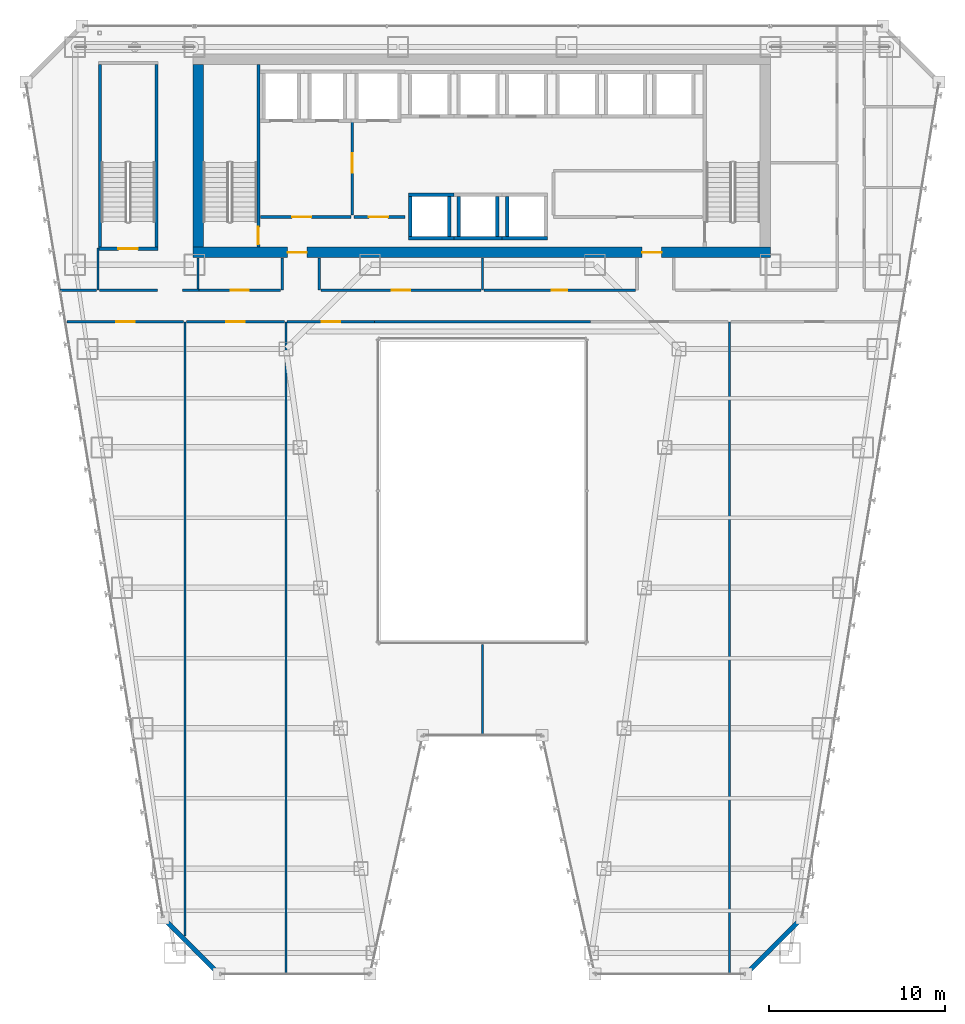
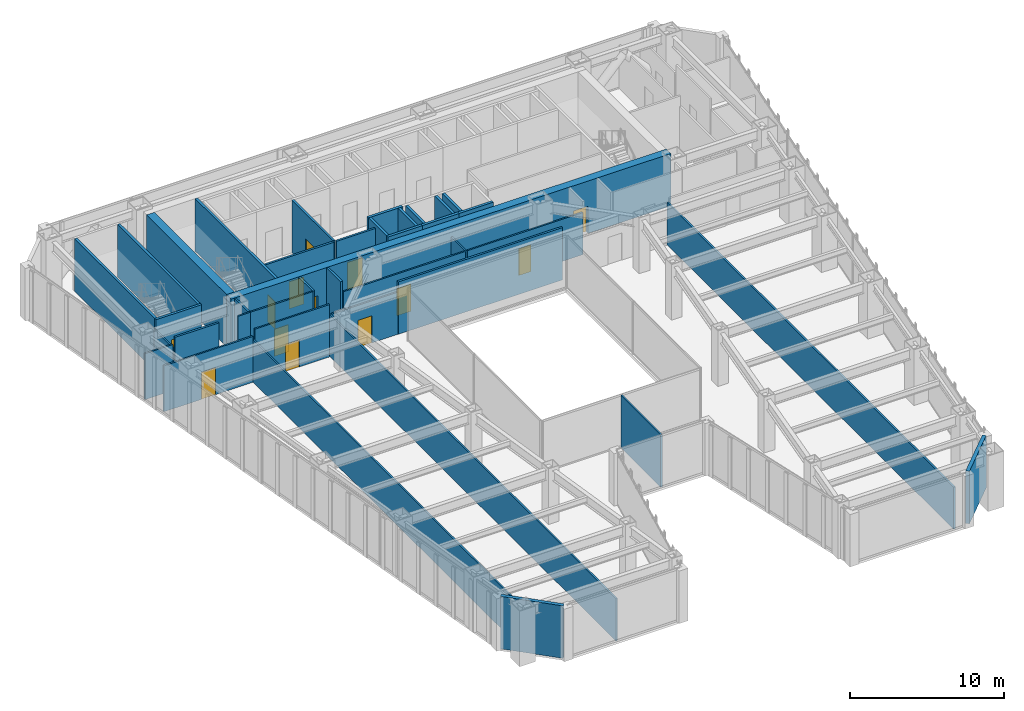
# One storey, part 36 of 47: 39 walls, 13 doors, 13 openings.
"""IFC4 building model written with IfcOpenShell, lengths in metres."""

from ifc_helpers import new_model, si_unit, direction, frame, frame_2d, origin, place, context, subcontext, project, spatial, rectangle, extrude, material, layer, layer_set, type_object, element, fill, save


model = new_model("IFC4")

# Units and contexts
model_context = context("Model", 3, precision=1e-05, world=origin(), true_north=direction((0.0, 1.0)))
body_context = subcontext(model_context, "Body", "Model", "MODEL_VIEW")
ifc_project = project(units=[si_unit("LENGTHUNIT", "METRE"), si_unit("AREAUNIT", "SQUARE_METRE"), si_unit("VOLUMEUNIT", "CUBIC_METRE"), si_unit("PLANEANGLEUNIT", "RADIAN"), si_unit("MASSUNIT", "GRAM", prefix="KILO")], contexts=[model_context])

# Site, building, storey
site_placement = place(None, origin())
site = spatial("IfcSite", under=ifc_project, at=site_placement, CompositionType="ELEMENT")
building_placement = place(site_placement, origin())
building = spatial("IfcBuilding", under=site, at=building_placement, Name="Saevonmaru Cultural Tower", CompositionType="ELEMENT")
storey_placement = place(building_placement, frame((0.0, 0.0, 47.199951171875)))
storey = spatial("IfcBuildingStorey", under=building, at=storey_placement, Name="L09", CompositionType="ELEMENT", Elevation=47.199951171875)

# Wall, openings, doors
ifc_material_1 = material(Name="Concrete C60/75", Category="concrete")
ifc_layer_1 = layer(ifc_material_1, 0.60009765625, Name="Concrete C60/75")
ifc_layer_set_1 = layer_set([ifc_layer_1], Name="Concrete C60/75")
wall_type_1 = type_object("IfcWallType", Name="WL-CORE-600", PredefinedType="SHEAR", material=ifc_layer_set_1)
wall_1_placement = place(storey_placement, frame((13.5, 43.10009765625, 0.0), z_axis=(0.0, 0.0, 1.0), x_axis=(1.0, 0.0, 0.0)))
wall_1 = element("IfcWall", 1, at=wall_1_placement, inside=storey, type_object=wall_type_1, Name="L09 Tower RC core shear wall S", PredefinedType="SHEAR", context=body_context, shape_type="SweptSolid", body=[
    extrude(rectangle(XDim=32.89990234375, YDim=0.60009765625, at=frame_2d((16.449951171875, 0.0))), origin(), (0.0, 0.0, 1.0), 4.150146484375),
])
opening_1_placement = place(wall_1_placement, frame((5.39990234375, 0.0, 0.0)))
opening_1 = element("IfcOpeningElement", 2, at=opening_1_placement, cuts=wall_1, Name="Opening FD-2", PredefinedType="OPENING", context=body_context, shape_type="SweptSolid", body=[
    extrude(rectangle(XDim=1.10009765625, YDim=2.14990234375, at=frame_2d((0.550048828125, 1.074951171875))), frame((0.0, 0.31005859375, 0.0), z_axis=(0.0, -1.0, 0.0), x_axis=(1.0, 0.0, 0.0)), (0.0, 0.0, 1.0), 0.6201171875),
])
opening_2_placement = place(wall_1_placement, frame((25.60009765625, 0.0, 0.0)))
opening_2 = element("IfcOpeningElement", 3, at=opening_2_placement, cuts=wall_1, Name="Opening FD-2", PredefinedType="OPENING", context=body_context, shape_type="SweptSolid", body=[
    extrude(rectangle(XDim=1.10009765625, YDim=2.14990234375, at=frame_2d((0.550048828125, 1.074951171875))), frame((0.0, 0.31005859375, 0.0), z_axis=(0.0, -1.0, 0.0), x_axis=(1.0, 0.0, 0.0)), (0.0, 0.0, 1.0), 0.6201171875),
])
ifc_material_2 = material(Name="Satin Bronze Anodised Aluminium", Category="aluminium")
door_type_1 = type_object("IfcDoorType", Name="DR-FD60-1100", OperationType="SINGLE_SWING_LEFT", PredefinedType="DOOR", material=ifc_material_2)
door_1_placement = place(opening_1_placement, origin())
door_1 = element("IfcDoor", 4, at=door_1_placement, inside=storey, type_object=door_type_1, Name="L09 Core West Lobby Fire Door", OperationType="SINGLE_SWING_LEFT", OverallHeight=2.14990234375, OverallWidth=1.10009765625, PredefinedType="DOOR", context=body_context, shape_type="SweptSolid", body=[
    extrude(rectangle(XDim=1.10009765625, YDim=2.14990234375, at=frame_2d((0.550048828125, 1.074951171875))), frame((0.0, 0.02490234375, 0.0), z_axis=(0.0, -1.0, 0.0), x_axis=(1.0, 0.0, 0.0)), (0.0, 0.0, 1.0), 0.050048828125),
])
fill(opening_1, door_1)
door_2_placement = place(opening_2_placement, origin())
door_2 = element("IfcDoor", 5, at=door_2_placement, inside=storey, type_object=door_type_1, Name="L09 Core East Lobby Fire Door", OperationType="SINGLE_SWING_LEFT", OverallHeight=2.14990234375, OverallWidth=1.10009765625, PredefinedType="DOOR", context=body_context, shape_type="SweptSolid", body=[
    extrude(rectangle(XDim=1.10009765625, YDim=2.14990234375, at=frame_2d((0.550048828125, 1.074951171875))), frame((0.0, 0.02490234375, 0.0), z_axis=(0.0, -1.0, 0.0), x_axis=(1.0, 0.0, 0.0)), (0.0, 0.0, 1.0), 0.050048828125),
])
fill(opening_2, door_2)

# Wall
wall_2_placement = place(storey_placement, frame((13.800048828125, 43.39990234375, 0.0), z_axis=(0.0, 0.0, 1.0), x_axis=(0.0, 1.0, 0.0)))
element("IfcWall", 6, at=wall_2_placement, inside=storey, type_object=wall_type_1, Name="L09 Tower RC core shear wall W", PredefinedType="SHEAR", context=body_context, shape_type="SweptSolid", body=[
    extrude(rectangle(XDim=10.400146484375, YDim=0.60009765625, at=frame_2d((5.2001953125, 0.0))), origin(), (0.0, 0.0, 1.0), 4.150146484375),
])

# Wall, opening, door
ifc_material_3 = material(Name="Gypsum Fireboard Partition", Category="gypsum")
ifc_layer_2 = layer(ifc_material_3, 0.14990234375, Name="Gypsum Fireboard Partition")
ifc_layer_set_2 = layer_set([ifc_layer_2], Name="Gypsum Fireboard Partition")
wall_type_2 = type_object("IfcWallType", Name="WL-CORE-PART-150", PredefinedType="PARTITIONING", material=ifc_layer_set_2)
wall_3_placement = place(storey_placement, frame((17.360107421875, 45.1201171875, 0.0), z_axis=(0.0, 0.0, 1.0), x_axis=(1.0, 0.0, 0.0)))
wall_3 = element("IfcWall", 7, at=wall_3_placement, inside=storey, type_object=wall_type_2, Name="L09 Firefighting Lift Lobby South Wall", PredefinedType="PARTITIONING", context=body_context, shape_type="SweptSolid", body=[
    extrude(rectangle(XDim=5.139892578125, YDim=0.14990234375, at=frame_2d((2.56982421875, 0.0))), origin(), (0.0, 0.0, 1.0), 4.150146484375),
])
opening_3_placement = place(wall_3_placement, frame((1.800048828125, 0.0, 0.0)))
opening_3 = element("IfcOpeningElement", 8, at=opening_3_placement, cuts=wall_3, Name="Opening FD-2", PredefinedType="OPENING", context=body_context, shape_type="SweptSolid", body=[
    extrude(rectangle(XDim=1.10009765625, YDim=2.14990234375, at=frame_2d((0.550048828125, 1.074951171875))), frame((0.0, 0.0849609375, 0.0), z_axis=(0.0, -1.0, 0.0), x_axis=(1.0, 0.0, 0.0)), (0.0, 0.0, 1.0), 0.169921875),
])
door_3_placement = place(opening_3_placement, origin())
door_3 = element("IfcDoor", 9, at=door_3_placement, inside=storey, type_object=door_type_1, Name="L09 Firefighting Lift Lobby South Door", OperationType="SINGLE_SWING_LEFT", OverallHeight=2.14990234375, OverallWidth=1.10009765625, PredefinedType="DOOR", context=body_context, shape_type="SweptSolid", body=[
    extrude(rectangle(XDim=1.10009765625, YDim=2.14990234375, at=frame_2d((0.550048828125, 1.074951171875))), frame((0.0, 0.02490234375, 0.0), z_axis=(0.0, -1.0, 0.0), x_axis=(1.0, 0.0, 0.0)), (0.0, 0.0, 1.0), 0.050048828125),
])
fill(opening_3, door_3)

wall_4_placement = place(storey_placement, frame((22.580078125, 50.550048828125, 0.0), z_axis=(0.0, 0.0, 1.0), x_axis=(0.0, -1.0, 0.0)))
wall_4 = element("IfcWall", 10, at=wall_4_placement, inside=storey, type_object=wall_type_2, Name="L09 Firefighting Lift Lobby East Wall", PredefinedType="PARTITIONING", context=body_context, shape_type="SweptSolid", body=[
    extrude(rectangle(XDim=5.330078125, YDim=0.14990234375, at=frame_2d((2.6650390625, 0.0))), origin(), (0.0, 0.0, 1.0), 4.150146484375),
])
opening_4_placement = place(wall_4_placement, frame((1.800048828125, 0.0, 0.0)))
opening_4 = element("IfcOpeningElement", 11, at=opening_4_placement, cuts=wall_4, Name="Opening FD-2", PredefinedType="OPENING", context=body_context, shape_type="SweptSolid", body=[
    extrude(rectangle(XDim=1.10009765625, YDim=2.14990234375, at=frame_2d((0.550048828125, 1.074951171875))), frame((0.0, 0.0849609375, 0.0), z_axis=(0.0, -1.0, 0.0), x_axis=(1.0, 0.0, 0.0)), (0.0, 0.0, 1.0), 0.169921875),
])
door_4_placement = place(opening_4_placement, origin())
door_4 = element("IfcDoor", 12, at=door_4_placement, inside=storey, type_object=door_type_1, Name="L09 Firefighting Lift Lobby East Door", OperationType="SINGLE_SWING_LEFT", OverallHeight=2.14990234375, OverallWidth=1.10009765625, PredefinedType="DOOR", context=body_context, shape_type="SweptSolid", body=[
    extrude(rectangle(XDim=1.10009765625, YDim=2.14990234375, at=frame_2d((0.550048828125, 1.074951171875))), frame((0.0, 0.02490234375, 0.0), z_axis=(0.0, -1.0, 0.0), x_axis=(1.0, 0.0, 0.0)), (0.0, 0.0, 1.0), 0.050048828125),
])
fill(opening_4, door_4)

wall_5_placement = place(storey_placement, frame((22.679931640625, 45.1201171875, 0.0), z_axis=(0.0, 0.0, 1.0), x_axis=(1.0, 0.0, 0.0)))
wall_5 = element("IfcWall", 13, at=wall_5_placement, inside=storey, type_object=wall_type_2, Name="L09 Service Lift Vestibule Wall", PredefinedType="PARTITIONING", context=body_context, shape_type="SweptSolid", body=[
    extrude(rectangle(XDim=2.920166015625, YDim=0.14990234375, at=frame_2d((1.4599609375, 0.0))), origin(), (0.0, 0.0, 1.0), 4.150146484375),
])
opening_5_placement = place(wall_5_placement, frame((0.85009765625, 0.0, 0.0)))
opening_5 = element("IfcOpeningElement", 14, at=opening_5_placement, cuts=wall_5, Name="Opening FD-2", PredefinedType="OPENING", context=body_context, shape_type="SweptSolid", body=[
    extrude(rectangle(XDim=1.10009765625, YDim=2.14990234375, at=frame_2d((0.550048828125, 1.074951171875))), frame((0.0, 0.0849609375, 0.0), z_axis=(0.0, -1.0, 0.0), x_axis=(1.0, 0.0, 0.0)), (0.0, 0.0, 1.0), 0.169921875),
])
door_5_placement = place(opening_5_placement, origin())
door_5 = element("IfcDoor", 15, at=door_5_placement, inside=storey, type_object=door_type_1, Name="L09 Service Lift Vestibule Door", OperationType="SINGLE_SWING_LEFT", OverallHeight=2.14990234375, OverallWidth=1.10009765625, PredefinedType="DOOR", context=body_context, shape_type="SweptSolid", body=[
    extrude(rectangle(XDim=1.10009765625, YDim=2.14990234375, at=frame_2d((0.550048828125, 1.074951171875))), frame((0.0, 0.02490234375, 0.0), z_axis=(0.0, -1.0, 0.0), x_axis=(1.0, 0.0, 0.0)), (0.0, 0.0, 1.0), 0.050048828125),
])
fill(opening_5, door_5)

# Walls
ifc_material_4 = material(Name="Granite-Clad Precast Concrete C40/50", Category="masonry")
ifc_layer_3 = layer(ifc_material_4, 0.260009765625, Name="Granite-Clad Precast Concrete C40/50")
ifc_layer_set_3 = layer_set([ifc_layer_3], Name="Granite-Clad Precast Concrete C40/50")
wall_type_3 = type_object("IfcWallType", Name="WL-EXT-SPANDREL-260", PredefinedType="STANDARD", material=ifc_layer_set_3)
for number, where, z_axis, x_axis, name in (
    (16, (11.9130859375, 5.0869140625, 0.0), (0.0, 0.0, 1.0), (0.707106781187, -0.707106781187, 0.0), "L09 Chamfer Corner Spandrel Wall E1"),
    (17, (45.113037109375, 2.113037109375, 0.0), (0.0, 0.0, 1.0), (0.707106781187, 0.707106781187, 0.0), "L09 Chamfer Corner Spandrel Wall E7"),
):
    element("IfcWall", number, at=place(storey_placement, frame(where, z_axis=z_axis, x_axis=x_axis)), inside=storey, type_object=wall_type_3, Name=name, PredefinedType="STANDARD", context=body_context, shape_type="SweptSolid", body=[
        extrude(rectangle(XDim=4.205810546875, YDim=0.260009765625, at=frame_2d((2.10302734375, 0.0))), origin(), (0.0, 0.0, 1.0), 4.150146484375),
    ])
ifc_layer_4 = layer(ifc_material_3, 0.14990234375, Name="Gypsum Fireboard Partition")
ifc_layer_set_4 = layer_set([ifc_layer_4], Name="Gypsum Fireboard Partition")
wall_type_4 = type_object("IfcWallType", Name="WL-PART-FIRE-150", PredefinedType="PARTITIONING", material=ifc_layer_set_4)
wall_6_placement = place(storey_placement, frame((8.179931640625, 40.949951171875, 0.0), z_axis=(0.0, 0.0, 1.0), x_axis=(1.0, 0.0, 0.0)))
element("IfcWall", 18, at=wall_6_placement, inside=storey, type_object=wall_type_4, Name="L09 Stair ST-3 South Vestibule Wall", PredefinedType="PARTITIONING", context=body_context, shape_type="SweptSolid", body=[
    extrude(rectangle(XDim=3.300048828125, YDim=0.14990234375, at=frame_2d((1.64990234375, 0.0))), origin(), (0.0, 0.0, 1.0), 4.150146484375),
])
for number, where, z_axis, x_axis, name in (
    (19, (18.60009765625, 40.949951171875, 0.0), (0.0, 0.0, 1.0), (0.0, 1.0, 0.0), "L09 Core Portal Side Wall W1"),
    (20, (20.699951171875, 40.949951171875, 0.0), (0.0, 0.0, 1.0), (0.0, 1.0, 0.0), "L09 Core Portal Side Wall W2"),
):
    element("IfcWall", number, at=place(storey_placement, frame(where, z_axis=z_axis, x_axis=x_axis)), inside=storey, type_object=wall_type_4, Name=name, PredefinedType="PARTITIONING", context=body_context, shape_type="SweptSolid", body=[
        extrude(rectangle(XDim=1.830078125, YDim=0.14990234375, at=frame_2d((0.9150390625, 0.0))), origin(), (0.0, 0.0, 1.0), 4.150146484375),
    ])
wall_7_placement = place(storey_placement, frame((23.85009765625, 39.14990234375, 0.0), z_axis=(0.0, 0.0, 1.0), x_axis=(1.0, 0.0, 0.0)))
element("IfcWall", 21, at=wall_7_placement, inside=storey, type_object=wall_type_4, Name="L09 North Atrium Corridor Wall", PredefinedType="PARTITIONING", context=body_context, shape_type="SweptSolid", body=[
    extrude(rectangle(XDim=12.2998046875, YDim=0.14990234375, at=frame_2d((6.14990234375, 0.0))), origin(), (0.0, 0.0, 1.0), 4.150146484375),
])
ifc_layer_5 = layer(ifc_material_3, 0.1201171875, Name="Gypsum Fireboard Partition")
ifc_layer_set_5 = layer_set([ifc_layer_5], Name="Gypsum Fireboard Partition")
wall_type_5 = type_object("IfcWallType", Name="WL-PART-GYP-120", PredefinedType="PARTITIONING", material=ifc_layer_set_5)
wall_8_placement = place(storey_placement, frame((12.919921875, 40.949951171875, 0.0), z_axis=(0.0, 0.0, 1.0), x_axis=(1.0, 0.0, 0.0)))
element("IfcWall", 22, at=wall_8_placement, inside=storey, type_object=wall_type_5, Name="L09 NW Inner South Wall", PredefinedType="PARTITIONING", context=body_context, shape_type="SweptSolid", body=[
    extrude(rectangle(XDim=0.93017578125, YDim=0.1201171875, at=frame_2d((0.465087890625, 0.0))), origin(), (0.0, 0.0, 1.0), 4.150146484375),
])
wall_9_placement = place(storey_placement, frame((13.800048828125, 41.030029296875, 0.0), z_axis=(0.0, 0.0, 1.0), x_axis=(0.0, 1.0, 0.0)))
element("IfcWall", 23, at=wall_9_placement, inside=storey, type_object=wall_type_5, Name="L09 NW Inner Core Return", PredefinedType="PARTITIONING", context=body_context, shape_type="SweptSolid", body=[
    extrude(rectangle(XDim=1.75, YDim=0.1201171875, at=frame_2d((0.875, 0.0))), origin(), (0.0, 0.0, 1.0), 4.150146484375),
])
wall_10_placement = place(storey_placement, frame((8.10009765625, 40.949951171875, 0.0), z_axis=(0.0, 0.0, 1.0), x_axis=(0.0, 1.0, 0.0)))
element("IfcWall", 24, at=wall_10_placement, inside=storey, type_object=wall_type_5, Name="L09 NW Stair Return", PredefinedType="PARTITIONING", context=body_context, shape_type="SweptSolid", body=[
    extrude(rectangle(XDim=2.400146484375, YDim=0.1201171875, at=frame_2d((1.2001953125, 0.0))), origin(), (0.0, 0.0, 1.0), 3.3349609375),
])
wall_11_placement = place(storey_placement, frame((5.947021484375, 40.949951171875, 0.0), z_axis=(0.0, 0.0, 1.0), x_axis=(1.0, 0.0, 0.0)))
element("IfcWall", 25, at=wall_11_placement, inside=storey, type_object=wall_type_5, Name="L09 Cartographic Study Library Corridor Wall", PredefinedType="PARTITIONING", context=body_context, shape_type="SweptSolid", body=[
    extrude(rectangle(XDim=2.072998046875, YDim=0.1201171875, at=frame_2d((1.03662109375, 0.0))), origin(), (0.0, 0.0, 1.0), 3.635009765625),
])

# Wall, opening, door
wall_12_placement = place(storey_placement, frame((13.85009765625, 40.949951171875, 0.0), z_axis=(0.0, 0.0, 1.0), x_axis=(1.0, 0.0, 0.0)))
wall_12 = element("IfcWall", 26, at=wall_12_placement, inside=storey, type_object=wall_type_5, Name="L09 Rare Manuscript Reading Room Corridor Wall", PredefinedType="PARTITIONING", context=body_context, shape_type="SweptSolid", body=[
    extrude(rectangle(XDim=4.65478515625, YDim=0.1201171875, at=frame_2d((2.327392578125, 0.0))), origin(), (0.0, 0.0, 1.0), 4.150146484375),
])
opening_6_placement = place(wall_12_placement, frame((1.802001953125, 0.0, 0.0)))
opening_6 = element("IfcOpeningElement", 27, at=opening_6_placement, cuts=wall_12, Name="Opening ID-1", PredefinedType="OPENING", context=body_context, shape_type="SweptSolid", body=[
    extrude(rectangle(XDim=1.050048828125, YDim=2.14990234375, at=frame_2d((0.52490234375, 1.074951171875))), frame((0.0, 0.070068359375, 0.0), z_axis=(0.0, -1.0, 0.0), x_axis=(1.0, 0.0, 0.0)), (0.0, 0.0, 1.0), 0.14013671875),
])
door_type_2 = type_object("IfcDoorType", Name="DR-INT-1050", OperationType="SINGLE_SWING_LEFT", PredefinedType="DOOR", material=ifc_material_2)
door_6_placement = place(opening_6_placement, origin())
door_6 = element("IfcDoor", 28, at=door_6_placement, inside=storey, type_object=door_type_2, Name="L09 Rare Manuscript Reading Room Door", OperationType="SINGLE_SWING_LEFT", OverallHeight=2.14990234375, OverallWidth=1.050048828125, PredefinedType="DOOR", context=body_context, shape_type="SweptSolid", body=[
    extrude(rectangle(XDim=1.050048828125, YDim=2.14990234375, at=frame_2d((0.52490234375, 1.074951171875))), frame((0.0, 0.02490234375, 0.0), z_axis=(0.0, -1.0, 0.0), x_axis=(1.0, 0.0, 0.0)), (0.0, 0.0, 1.0), 0.050048828125),
])
fill(opening_6, door_6)

# Wall
wall_13_placement = place(storey_placement, frame((30.0, 40.949951171875, 0.0), z_axis=(0.0, 0.0, 1.0), x_axis=(0.0, 1.0, 0.0)))
element("IfcWall", 29, at=wall_13_placement, inside=storey, type_object=wall_type_5, Name="L09 Spine Alcove Split", PredefinedType="PARTITIONING", context=body_context, shape_type="SweptSolid", body=[
    extrude(rectangle(XDim=1.830078125, YDim=0.1201171875, at=frame_2d((0.9150390625, 0.0))), origin(), (0.0, 0.0, 1.0), 3.3349609375),
])

# Wall, opening, door
wall_14_placement = place(storey_placement, frame((20.794921875, 40.949951171875, 0.0), z_axis=(0.0, 0.0, 1.0), x_axis=(1.0, 0.0, 0.0)))
wall_14 = element("IfcWall", 30, at=wall_14_placement, inside=storey, type_object=wall_type_5, Name="L09 Rare Manuscript Reading Room Corridor Wall", PredefinedType="PARTITIONING", context=body_context, shape_type="SweptSolid", body=[
    extrude(rectangle(XDim=9.125, YDim=0.1201171875, at=frame_2d((4.5625, 0.0))), origin(), (0.0, 0.0, 1.0), 3.3349609375),
])
opening_7_placement = place(wall_14_placement, frame((4.037109375, 0.0, 0.0)))
opening_7 = element("IfcOpeningElement", 31, at=opening_7_placement, cuts=wall_14, Name="Opening ID-1", PredefinedType="OPENING", context=body_context, shape_type="SweptSolid", body=[
    extrude(rectangle(XDim=1.050048828125, YDim=2.14990234375, at=frame_2d((0.52490234375, 1.074951171875))), frame((0.0, 0.070068359375, 0.0), z_axis=(0.0, -1.0, 0.0), x_axis=(1.0, 0.0, 0.0)), (0.0, 0.0, 1.0), 0.14013671875),
])
door_7_placement = place(opening_7_placement, origin())
door_7 = element("IfcDoor", 32, at=door_7_placement, inside=storey, type_object=door_type_2, Name="L09 Rare Manuscript Reading Room Door", OperationType="SINGLE_SWING_RIGHT", OverallHeight=2.14990234375, OverallWidth=1.050048828125, PredefinedType="DOOR", context=body_context, shape_type="SweptSolid", body=[
    extrude(rectangle(XDim=1.050048828125, YDim=2.14990234375, at=frame_2d((0.52490234375, 1.074951171875))), frame((0.0, 0.02490234375, 0.0), z_axis=(0.0, -1.0, 0.0), x_axis=(1.0, 0.0, 0.0)), (0.0, 0.0, 1.0), 0.050048828125),
])
fill(opening_7, door_7)

wall_15_placement = place(storey_placement, frame((30.080078125, 40.949951171875, 0.0), z_axis=(0.0, 0.0, 1.0), x_axis=(1.0, 0.0, 0.0)))
wall_15 = element("IfcWall", 33, at=wall_15_placement, inside=storey, type_object=wall_type_5, Name="L09 Scholarly Colloquium Meeting Room Corridor Wall", PredefinedType="PARTITIONING", context=body_context, shape_type="SweptSolid", body=[
    extrude(rectangle(XDim=8.625, YDim=0.1201171875, at=frame_2d((4.3125, 0.0))), origin(), (0.0, 0.0, 1.0), 3.3349609375),
])
opening_8_placement = place(wall_15_placement, frame((3.862060546875, 0.0, 0.0)))
opening_8 = element("IfcOpeningElement", 34, at=opening_8_placement, cuts=wall_15, Name="Opening ID-2", PredefinedType="OPENING", context=body_context, shape_type="SweptSolid", body=[
    extrude(rectangle(XDim=0.89990234375, YDim=2.10009765625, at=frame_2d((0.449951171875, 1.050048828125))), frame((0.0, 0.070068359375, 0.0), z_axis=(0.0, -1.0, 0.0), x_axis=(1.0, 0.0, 0.0)), (0.0, 0.0, 1.0), 0.14013671875),
])
ifc_material_5 = material(Name="Acoustic Stained Oak Timber", Category="wood")
door_type_3 = type_object("IfcDoorType", Name="DR-INT-900", OperationType="SINGLE_SWING_RIGHT", PredefinedType="DOOR", material=ifc_material_5)
door_8_placement = place(opening_8_placement, origin())
door_8 = element("IfcDoor", 35, at=door_8_placement, inside=storey, type_object=door_type_3, Name="L09 Scholarly Colloquium Meeting Room Door", OperationType="SINGLE_SWING_LEFT", OverallHeight=2.10009765625, OverallWidth=0.89990234375, PredefinedType="DOOR", context=body_context, shape_type="SweptSolid", body=[
    extrude(rectangle(XDim=0.89990234375, YDim=2.10009765625, at=frame_2d((0.449951171875, 1.050048828125))), frame((0.0, 0.02490234375, 0.0), z_axis=(0.0, -1.0, 0.0), x_axis=(1.0, 0.0, 0.0)), (0.0, 0.0, 1.0), 0.050048828125),
])
fill(opening_8, door_8)

# Walls
wall_16_placement = place(storey_placement, frame((13.06005859375, 4.152099609375, 0.0), z_axis=(0.0, 0.0, 1.0), x_axis=(0.0, 1.0, 0.0)))
element("IfcWall", 36, at=wall_16_placement, inside=storey, type_object=wall_type_5, Name="L09 West Bay Divider 1", PredefinedType="PARTITIONING", context=body_context, shape_type="SweptSolid", body=[
    extrude(rectangle(XDim=34.997802734375, YDim=0.1201171875, at=frame_2d((17.4990234375, 0.0))), origin(), (0.0, 0.0, 1.0), 3.3349609375),
])
wall_17_placement = place(storey_placement, frame((18.800048828125, 2.0048828125, 0.0), z_axis=(0.0, 0.0, 1.0), x_axis=(0.0, 1.0, 0.0)))
element("IfcWall", 37, at=wall_17_placement, inside=storey, type_object=wall_type_5, Name="L09 West Bay Divider 2", PredefinedType="PARTITIONING", context=body_context, shape_type="SweptSolid", body=[
    extrude(rectangle(XDim=37.14501953125, YDim=0.1201171875, at=frame_2d((18.572509765625, 0.0))), origin(), (0.0, 0.0, 1.0), 3.3349609375),
])
wall_18_placement = place(storey_placement, frame((30.0, 15.60498046875, 0.0), z_axis=(0.0, 0.0, 1.0), x_axis=(0.0, 1.0, 0.0)))
element("IfcWall", 38, at=wall_18_placement, inside=storey, type_object=wall_type_5, Name="L09 South Atrium Center Split", PredefinedType="PARTITIONING", context=body_context, shape_type="SweptSolid", body=[
    extrude(rectangle(XDim=5.175048828125, YDim=0.1201171875, at=frame_2d((2.58740234375, 0.0))), origin(), (0.0, 0.0, 1.0), 4.150146484375),
])

# Wall, opening, door
wall_19_placement = place(storey_placement, frame((6.333984375, 39.14990234375, 0.0), z_axis=(0.0, 0.0, 1.0), x_axis=(1.0, 0.0, 0.0)))
wall_19 = element("IfcWall", 39, at=wall_19_placement, inside=storey, type_object=wall_type_5, Name="L09 Rare Manuscript Reading Room Corridor Wall", PredefinedType="PARTITIONING", context=body_context, shape_type="SweptSolid", body=[
    extrude(rectangle(XDim=6.64599609375, YDim=0.1201171875, at=frame_2d((3.322998046875, 0.0))), origin(), (0.0, 0.0, 1.0), 3.635009765625),
])
opening_9_placement = place(wall_19_placement, frame((2.798095703125, 0.0, 0.0)))
opening_9 = element("IfcOpeningElement", 40, at=opening_9_placement, cuts=wall_19, Name="Opening ID-1", PredefinedType="OPENING", context=body_context, shape_type="SweptSolid", body=[
    extrude(rectangle(XDim=1.050048828125, YDim=2.14990234375, at=frame_2d((0.52490234375, 1.074951171875))), frame((0.0, 0.070068359375, 0.0), z_axis=(0.0, -1.0, 0.0), x_axis=(1.0, 0.0, 0.0)), (0.0, 0.0, 1.0), 0.14013671875),
])
door_9_placement = place(opening_9_placement, origin())
door_9 = element("IfcDoor", 41, at=door_9_placement, inside=storey, type_object=door_type_2, Name="L09 Rare Manuscript Reading Room Door", OperationType="SINGLE_SWING_LEFT", OverallHeight=2.14990234375, OverallWidth=1.050048828125, PredefinedType="DOOR", context=body_context, shape_type="SweptSolid", body=[
    extrude(rectangle(XDim=1.050048828125, YDim=2.14990234375, at=frame_2d((0.52490234375, 1.074951171875))), frame((0.0, 0.02490234375, 0.0), z_axis=(0.0, -1.0, 0.0), x_axis=(1.0, 0.0, 0.0)), (0.0, 0.0, 1.0), 0.050048828125),
])
fill(opening_9, door_9)

wall_20_placement = place(storey_placement, frame((13.139892578125, 39.14990234375, 0.0), z_axis=(0.0, 0.0, 1.0), x_axis=(1.0, 0.0, 0.0)))
wall_20 = element("IfcWall", 42, at=wall_20_placement, inside=storey, type_object=wall_type_5, Name="L09 Cartographic Study Library Corridor Wall", PredefinedType="PARTITIONING", context=body_context, shape_type="SweptSolid", body=[
    extrude(rectangle(XDim=5.580078125, YDim=0.1201171875, at=frame_2d((2.7900390625, 0.0))), origin(), (0.0, 0.0, 1.0), 4.150146484375),
])
opening_10_placement = place(wall_20_placement, frame((2.264892578125, 0.0, 0.0)))
opening_10 = element("IfcOpeningElement", 43, at=opening_10_placement, cuts=wall_20, Name="Opening ID-1", PredefinedType="OPENING", context=body_context, shape_type="SweptSolid", body=[
    extrude(rectangle(XDim=1.050048828125, YDim=2.14990234375, at=frame_2d((0.52490234375, 1.074951171875))), frame((0.0, 0.070068359375, 0.0), z_axis=(0.0, -1.0, 0.0), x_axis=(1.0, 0.0, 0.0)), (0.0, 0.0, 1.0), 0.14013671875),
])
door_10_placement = place(opening_10_placement, origin())
door_10 = element("IfcDoor", 44, at=door_10_placement, inside=storey, type_object=door_type_2, Name="L09 Cartographic Study Library Door", OperationType="SINGLE_SWING_RIGHT", OverallHeight=2.14990234375, OverallWidth=1.050048828125, PredefinedType="DOOR", context=body_context, shape_type="SweptSolid", body=[
    extrude(rectangle(XDim=1.050048828125, YDim=2.14990234375, at=frame_2d((0.52490234375, 1.074951171875))), frame((0.0, 0.02490234375, 0.0), z_axis=(0.0, -1.0, 0.0), x_axis=(1.0, 0.0, 0.0)), (0.0, 0.0, 1.0), 0.050048828125),
])
fill(opening_10, door_10)

wall_21_placement = place(storey_placement, frame((18.8798828125, 39.14990234375, 0.0), z_axis=(0.0, 0.0, 1.0), x_axis=(1.0, 0.0, 0.0)))
wall_21 = element("IfcWall", 45, at=wall_21_placement, inside=storey, type_object=wall_type_5, Name="L09 Periodical Reading Room Corridor Wall", PredefinedType="PARTITIONING", context=body_context, shape_type="SweptSolid", body=[
    extrude(rectangle(XDim=4.97021484375, YDim=0.1201171875, at=frame_2d((2.485107421875, 0.0))), origin(), (0.0, 0.0, 1.0), 3.3349609375),
])
opening_11_placement = place(wall_21_placement, frame((1.9599609375, 0.0, 0.0)))
opening_11 = element("IfcOpeningElement", 46, at=opening_11_placement, cuts=wall_21, Name="Opening ID-1", PredefinedType="OPENING", context=body_context, shape_type="SweptSolid", body=[
    extrude(rectangle(XDim=1.050048828125, YDim=2.14990234375, at=frame_2d((0.52490234375, 1.074951171875))), frame((0.0, 0.070068359375, 0.0), z_axis=(0.0, -1.0, 0.0), x_axis=(1.0, 0.0, 0.0)), (0.0, 0.0, 1.0), 0.14013671875),
])
door_11_placement = place(opening_11_placement, origin())
door_11 = element("IfcDoor", 47, at=door_11_placement, inside=storey, type_object=door_type_2, Name="L09 Periodical Reading Room Door", OperationType="SINGLE_SWING_LEFT", OverallHeight=2.14990234375, OverallWidth=1.050048828125, PredefinedType="DOOR", context=body_context, shape_type="SweptSolid", body=[
    extrude(rectangle(XDim=1.050048828125, YDim=2.14990234375, at=frame_2d((0.52490234375, 1.074951171875))), frame((0.0, 0.02490234375, 0.0), z_axis=(0.0, -1.0, 0.0), x_axis=(1.0, 0.0, 0.0)), (0.0, 0.0, 1.0), 0.050048828125),
])
fill(opening_11, door_11)

# Walls
ifc_layer_6 = layer(ifc_material_3, 0.135009765625, Name="Gypsum Fireboard Partition")
ifc_layer_set_6 = layer_set([ifc_layer_6], Name="Gypsum Fireboard Partition")
wall_type_6 = type_object("IfcWallType", Name="WL-PART-GYP-135", PredefinedType="PARTITIONING", material=ifc_layer_set_6)
wall_22_placement = place(storey_placement, frame((44.070068359375, 2.0048828125, 0.0), z_axis=(0.0, 0.0, 1.0), x_axis=(0.0, 1.0, 0.0)))
element("IfcWall", 48, at=wall_22_placement, inside=storey, type_object=wall_type_6, Name="L09 East Bay Divider 1", PredefinedType="PARTITIONING", context=body_context, shape_type="SweptSolid", body=[
    extrude(rectangle(XDim=37.14501953125, YDim=0.135009765625, at=frame_2d((18.572509765625, 0.0))), origin(), (0.0, 0.0, 1.0), 3.3349609375),
])
ifc_material_6 = material(Name="Concrete C40/50", Category="concrete")
ifc_layer_7 = layer(ifc_material_6, 0.199951171875, Name="Concrete C40/50")
ifc_layer_set_7 = layer_set([ifc_layer_7], Name="Concrete C40/50")
wall_type_7 = type_object("IfcWallType", Name="WL-SHAFT-200", PredefinedType="SHEAR", material=ifc_layer_set_7)
for number, where, z_axis, x_axis, name in (
    (49, (25.800048828125, 43.89990234375, 0.0), (0.0, 0.0, 1.0), (1.0, 0.0, 0.0), "L09 Lift PL-M1 Hoistway Wall S"),
    (50, (25.800048828125, 46.39990234375, 0.0), (0.0, 0.0, 1.0), (1.0, 0.0, 0.0), "L09 Lift PL-M1 Hoistway Wall N"),
):
    element("IfcWall", number, at=place(storey_placement, frame(where, z_axis=z_axis, x_axis=x_axis)), inside=storey, type_object=wall_type_7, Name=name, PredefinedType="SHEAR", context=body_context, shape_type="SweptSolid", body=[
        extrude(rectangle(XDim=2.574951171875, YDim=0.199951171875, at=frame_2d((1.28759765625, 0.0))), origin(), (0.0, 0.0, 1.0), 4.150146484375),
    ])
for number, where, z_axis, x_axis, name in (
    (51, (25.89990234375, 44.0, 0.0), (0.0, 0.0, 1.0), (0.0, 1.0, 0.0), "L09 Lift PL-M1 Hoistway Wall W"),
    (52, (28.10009765625, 44.0, 0.0), (0.0, 0.0, 1.0), (0.0, 1.0, 0.0), "L09 Lift PL-M1 Hoistway Wall E"),
):
    element("IfcWall", number, at=place(storey_placement, frame(where, z_axis=z_axis, x_axis=x_axis)), inside=storey, type_object=wall_type_7, Name=name, PredefinedType="SHEAR", context=body_context, shape_type="SweptSolid", body=[
        extrude(rectangle(XDim=2.300048828125, YDim=0.199951171875, at=frame_2d((1.14990234375, 0.0))), origin(), (0.0, 0.0, 1.0), 4.150146484375),
    ])
wall_23_placement = place(storey_placement, frame((28.375, 43.89990234375, 0.0), z_axis=(0.0, 0.0, 1.0), x_axis=(1.0, 0.0, 0.0)))
element("IfcWall", 53, at=wall_23_placement, inside=storey, type_object=wall_type_7, Name="L09 Lift PL-M2 Hoistway Wall S", PredefinedType="SHEAR", context=body_context, shape_type="SweptSolid", body=[
    extrude(rectangle(XDim=2.75, YDim=0.199951171875, at=frame_2d((1.375, 0.0))), origin(), (0.0, 0.0, 1.0), 4.150146484375),
])
for number, where, z_axis, x_axis, name in (
    (54, (28.64990234375, 44.0, 0.0), (0.0, 0.0, 1.0), (0.0, 1.0, 0.0), "L09 Lift PL-M2 Hoistway Wall W"),
    (55, (30.85009765625, 44.0, 0.0), (0.0, 0.0, 1.0), (0.0, 1.0, 0.0), "L09 Lift PL-M2 Hoistway Wall E"),
):
    element("IfcWall", number, at=place(storey_placement, frame(where, z_axis=z_axis, x_axis=x_axis)), inside=storey, type_object=wall_type_7, Name=name, PredefinedType="SHEAR", context=body_context, shape_type="SweptSolid", body=[
        extrude(rectangle(XDim=2.300048828125, YDim=0.199951171875, at=frame_2d((1.14990234375, 0.0))), origin(), (0.0, 0.0, 1.0), 4.150146484375),
    ])
wall_24_placement = place(storey_placement, frame((31.125, 43.89990234375, 0.0), z_axis=(0.0, 0.0, 1.0), x_axis=(1.0, 0.0, 0.0)))
element("IfcWall", 56, at=wall_24_placement, inside=storey, type_object=wall_type_7, Name="L09 Lift PL-M3 Hoistway Wall S", PredefinedType="SHEAR", context=body_context, shape_type="SweptSolid", body=[
    extrude(rectangle(XDim=2.574951171875, YDim=0.199951171875, at=frame_2d((1.28759765625, 0.0))), origin(), (0.0, 0.0, 1.0), 4.150146484375),
])
wall_25_placement = place(storey_placement, frame((31.39990234375, 44.0, 0.0), z_axis=(0.0, 0.0, 1.0), x_axis=(0.0, 1.0, 0.0)))
element("IfcWall", 57, at=wall_25_placement, inside=storey, type_object=wall_type_7, Name="L09 Lift PL-M3 Hoistway Wall W", PredefinedType="SHEAR", context=body_context, shape_type="SweptSolid", body=[
    extrude(rectangle(XDim=2.300048828125, YDim=0.199951171875, at=frame_2d((1.14990234375, 0.0))), origin(), (0.0, 0.0, 1.0), 4.150146484375),
])

# Wall, opening, door
ifc_layer_8 = layer(ifc_material_6, 0.179931640625, Name="Concrete C40/50")
ifc_layer_set_8 = layer_set([ifc_layer_8], Name="Concrete C40/50")
wall_type_8 = type_object("IfcWallType", Name="WL-STSHAFT-180", PredefinedType="SHEAR", material=ifc_layer_set_8)
wall_26_placement = place(storey_placement, frame((17.239990234375, 43.39990234375, 0.0), z_axis=(0.0, 0.0, 1.0), x_axis=(0.0, 1.0, 0.0)))
wall_26 = element("IfcWall", 58, at=wall_26_placement, inside=storey, type_object=wall_type_8, Name="L09 Stair ST-1 Structural Shaft Wall 1", PredefinedType="SHEAR", context=body_context, shape_type="SweptSolid", body=[
    extrude(rectangle(XDim=10.400146484375, YDim=0.179931640625, at=frame_2d((5.2001953125, 0.0))), origin(), (0.0, 0.0, 1.0), 4.150146484375),
])
opening_12_placement = place(wall_26_placement, frame((0.159912109375, 0.0, 0.0)))
opening_12 = element("IfcOpeningElement", 59, at=opening_12_placement, cuts=wall_26, Name="Opening FD-3", PredefinedType="OPENING", context=body_context, shape_type="SweptSolid", body=[
    extrude(rectangle(XDim=1.0, YDim=2.14990234375, at=frame_2d((0.5, 1.074951171875))), frame((0.0, 0.10009765625, 0.0), z_axis=(0.0, -1.0, 0.0), x_axis=(1.0, 0.0, 0.0)), (0.0, 0.0, 1.0), 0.199951171875),
])
door_type_4 = type_object("IfcDoorType", Name="DR-FD60-1000", OperationType="SINGLE_SWING_RIGHT", PredefinedType="DOOR", material=ifc_material_2)
door_12_placement = place(opening_12_placement, origin())
door_12 = element("IfcDoor", 60, at=door_12_placement, inside=storey, type_object=door_type_4, Name="L09 Protected Stair ST-1 Fire Door", OperationType="SINGLE_SWING_RIGHT", OverallHeight=2.14990234375, OverallWidth=1.0, PredefinedType="DOOR", context=body_context, shape_type="SweptSolid", body=[
    extrude(rectangle(XDim=1.0, YDim=2.14990234375, at=frame_2d((0.5, 1.074951171875))), frame((0.0, 0.02490234375, 0.0), z_axis=(0.0, -1.0, 0.0), x_axis=(1.0, 0.0, 0.0)), (0.0, 0.0, 1.0), 0.050048828125),
])
fill(opening_12, door_12)

wall_27_placement = place(storey_placement, frame((8.1201171875, 43.31005859375, 0.0), z_axis=(0.0, 0.0, 1.0), x_axis=(1.0, 0.0, 0.0)))
wall_27 = element("IfcWall", 61, at=wall_27_placement, inside=storey, type_object=wall_type_8, Name="L09 Stair ST-3 Structural Shaft Wall 1", PredefinedType="SHEAR", context=body_context, shape_type="SweptSolid", body=[
    extrude(rectangle(XDim=3.409912109375, YDim=0.179931640625, at=frame_2d((1.705078125, 0.0))), origin(), (0.0, 0.0, 1.0), 4.150146484375),
])
opening_13_placement = place(wall_27_placement, frame((1.14990234375, 0.0, 0.0)))
opening_13 = element("IfcOpeningElement", 62, at=opening_13_placement, cuts=wall_27, Name="Opening FD-2", PredefinedType="OPENING", context=body_context, shape_type="SweptSolid", body=[
    extrude(rectangle(XDim=1.10009765625, YDim=2.14990234375, at=frame_2d((0.550048828125, 1.074951171875))), frame((0.0, 0.10009765625, 0.0), z_axis=(0.0, -1.0, 0.0), x_axis=(1.0, 0.0, 0.0)), (0.0, 0.0, 1.0), 0.199951171875),
])
door_13_placement = place(opening_13_placement, origin())
door_13 = element("IfcDoor", 63, at=door_13_placement, inside=storey, type_object=door_type_1, Name="L09 Protected Stair ST-3 Fire Door", OperationType="SINGLE_SWING_LEFT", OverallHeight=2.14990234375, OverallWidth=1.10009765625, PredefinedType="DOOR", context=body_context, shape_type="SweptSolid", body=[
    extrude(rectangle(XDim=1.10009765625, YDim=2.14990234375, at=frame_2d((0.550048828125, 1.074951171875))), frame((0.0, 0.02490234375, 0.0), z_axis=(0.0, -1.0, 0.0), x_axis=(1.0, 0.0, 0.0)), (0.0, 0.0, 1.0), 0.050048828125),
])
fill(opening_13, door_13)

# Walls
for number, where, z_axis, x_axis, name in (
    (64, (11.43994140625, 43.39990234375, 0.0), (0.0, 0.0, 1.0), (0.0, 1.0, 0.0), "L09 Stair ST-3 Structural Shaft Wall 2"),
    (65, (8.2099609375, 53.800048828125, 0.0), (0.0, 0.0, 1.0), (0.0, -1.0, 0.0), "L09 Stair ST-3 Structural Shaft Wall 4"),
):
    element("IfcWall", number, at=place(storey_placement, frame(where, z_axis=z_axis, x_axis=x_axis)), inside=storey, type_object=wall_type_8, Name=name, PredefinedType="SHEAR", context=body_context, shape_type="SweptSolid", body=[
        extrude(rectangle(XDim=10.400146484375, YDim=0.179931640625, at=frame_2d((5.2001953125, 0.0))), origin(), (0.0, 0.0, 1.0), 4.150146484375),
    ])

save(model, "model.ifc")
